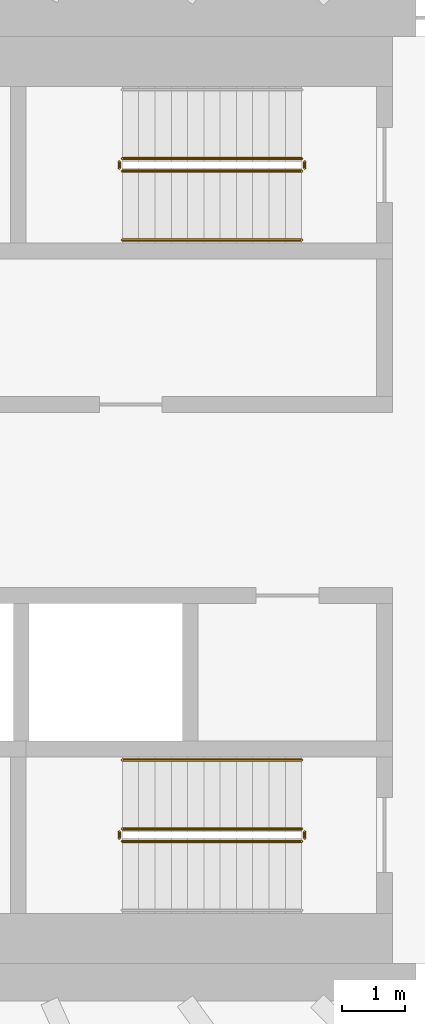
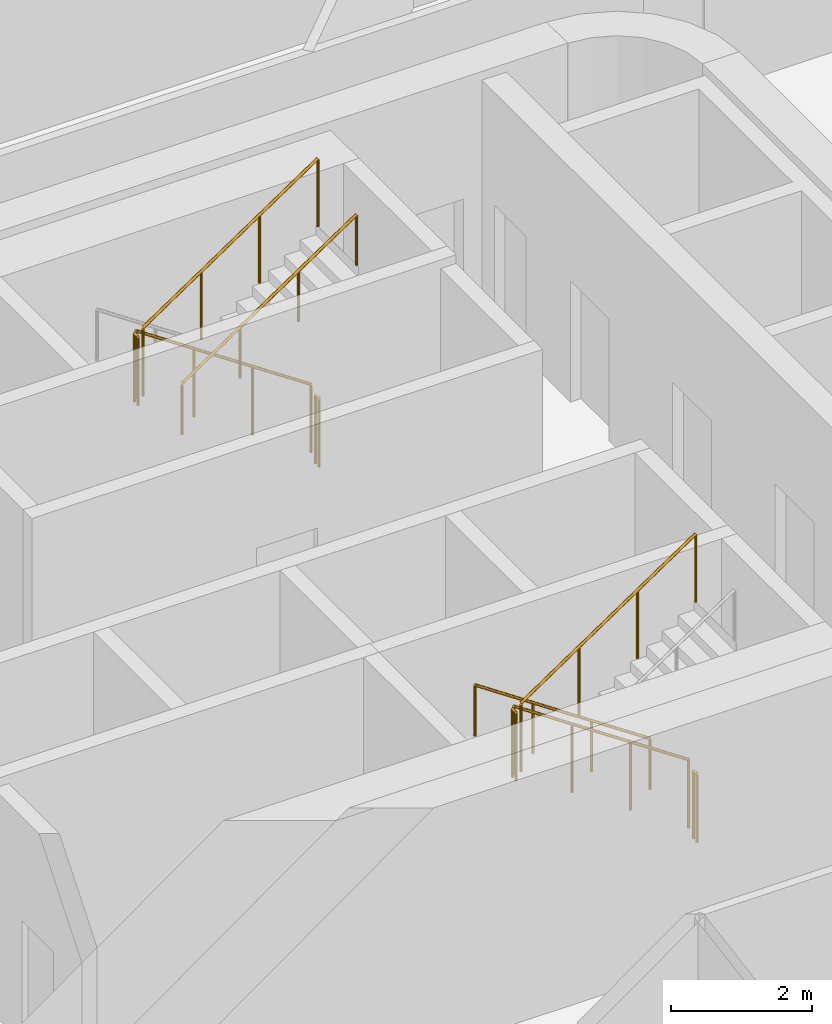
# One storey, part 23 of 25: 10 railings.
"""IFC4 building model written with IfcOpenShell, lengths in metres."""

from ifc_helpers import new_model, si_unit, direction, frame, origin, origin_2d, place, context, subcontext, project, spatial, circle, extrude, material, type_object, element, save


model = new_model("IFC4")

# Units and contexts
model_context = context("Model", 3, precision=1e-05, world=origin(), true_north=direction((0.0, 1.0)))
body_context = subcontext(model_context, "Body", "Model", "MODEL_VIEW")
ifc_project = project(units=[si_unit("LENGTHUNIT", "METRE"), si_unit("AREAUNIT", "SQUARE_METRE"), si_unit("VOLUMEUNIT", "CUBIC_METRE"), si_unit("PLANEANGLEUNIT", "RADIAN"), si_unit("MASSUNIT", "GRAM", prefix="KILO")], contexts=[model_context])

# Site, building, storey
site_placement = place(None, origin())
site = spatial("IfcSite", under=ifc_project, at=site_placement, CompositionType="ELEMENT")
building_placement = place(site_placement, origin())
building = spatial("IfcBuilding", under=site, at=building_placement, Name="Sahrelin Media Tower", CompositionType="ELEMENT")
storey_placement = place(building_placement, frame((0.0, 0.0, 135.60009765625)))
storey = spatial("IfcBuildingStorey", under=building, at=storey_placement, Name="L27", CompositionType="ELEMENT", Elevation=135.60009765625)

# Railings
ifc_material = material(Name="Steel S355", Category="steel")
railing_type_1 = type_object("IfcRailingType", Name="Stair guard 1200", PredefinedType="GUARDRAIL", material=ifc_material)
railing_1_placement = place(storey_placement, frame((7.675048828125, 5.449951171875, 0.1748046875)))
element("IfcRailing", 1, at=railing_1_placement, inside=storey, type_object=railing_type_1, Name="L27 ST3 stair guard 1", PredefinedType="GUARDRAIL", context=body_context, shape_type="SweptSolid", body=[
    extrude(circle(Radius=0.02392578125, at=origin_2d()), frame((0.0, 0.0, 1.17578125), z_axis=(-0.829590901723, 0.0, 0.558371682465), x_axis=(0.0, -1.0, 0.0)), (0.0, 0.0, 1.0), 3.447509765625),
    extrude(circle(Radius=0.02099609375, at=origin_2d()), origin(), (0.0, 0.0, 1.0), 1.15185546875),
    extrude(circle(Radius=0.02099609375, at=origin_2d()), frame((-0.953369140625, 0.0, 0.6416015625)), (0.0, 0.0, 1.0), 1.15185546875),
    extrude(circle(Radius=0.02099609375, at=origin_2d()), frame((-1.90673828125, 0.0, 1.283447265625)), (0.0, 0.0, 1.0), 1.15185546875),
    extrude(circle(Radius=0.02099609375, at=origin_2d()), frame((-2.860107421875, 0.0, 1.925048828125)), (0.0, 0.0, 1.0), 1.15185546875),
])
railing_2_placement = place(storey_placement, frame((4.764892578125, 5.39990234375, 2.099853515625)))
element("IfcRailing", 2, at=railing_2_placement, inside=storey, type_object=railing_type_1, Name="L27 ST3 stair guard 2", PredefinedType="GUARDRAIL", context=body_context, shape_type="SweptSolid", body=[
    extrude(circle(Radius=0.02392578125, at=origin_2d()), frame((0.0, 0.0, 1.17578125), z_axis=(0.0, -1.0, 0.0), x_axis=(1.0, 0.0, 0.0)), (0.0, 0.0, 1.0), 0.099853515625),
    extrude(circle(Radius=0.02099609375, at=origin_2d()), origin(), (0.0, 0.0, 1.0), 1.15185546875),
    extrude(circle(Radius=0.02099609375, at=origin_2d()), frame((0.0, -0.099853515625, 0.0)), (0.0, 0.0, 1.0), 1.15185546875),
])
railing_3_placement = place(storey_placement, frame((4.81494140625, 5.25, 2.27490234375)))
element("IfcRailing", 3, at=railing_3_placement, inside=storey, type_object=railing_type_1, Name="L27 ST3 stair guard 3", PredefinedType="GUARDRAIL", context=body_context, shape_type="SweptSolid", body=[
    extrude(circle(Radius=0.02392578125, at=origin_2d()), frame((0.0, 0.0, 1.17578125), z_axis=(0.829590901723, 0.0, 0.558371682465), x_axis=(0.0, 1.0, 0.0)), (0.0, 0.0, 1.0), 3.447509765625),
    extrude(circle(Radius=0.02099609375, at=origin_2d()), origin(), (0.0, 0.0, 1.0), 1.15185546875),
    extrude(circle(Radius=0.02099609375, at=origin_2d()), frame((0.953369140625, 0.0, 0.6416015625)), (0.0, 0.0, 1.0), 1.15185546875),
    extrude(circle(Radius=0.02099609375, at=origin_2d()), frame((1.90673828125, 0.0, 1.283447265625)), (0.0, 0.0, 1.0), 1.15185546875),
    extrude(circle(Radius=0.02099609375, at=origin_2d()), frame((2.860107421875, 0.0, 1.925048828125)), (0.0, 0.0, 1.0), 1.15185546875),
])
railing_4_placement = place(storey_placement, frame((7.72509765625, 5.39990234375, 0.0)))
element("IfcRailing", 4, at=railing_4_placement, inside=storey, type_object=railing_type_1, Name="L27 ST3 stair guard 4", PredefinedType="GUARDRAIL", context=body_context, shape_type="SweptSolid", body=[
    extrude(circle(Radius=0.02392578125, at=origin_2d()), frame((0.0, 0.0, 1.17578125), z_axis=(0.0, -1.0, 0.0), x_axis=(1.0, 0.0, 0.0)), (0.0, 0.0, 1.0), 0.099853515625),
    extrude(circle(Radius=0.02099609375, at=origin_2d()), origin(), (0.0, 0.0, 1.0), 1.15185546875),
    extrude(circle(Radius=0.02099609375, at=origin_2d()), frame((0.0, -0.099853515625, 0.0)), (0.0, 0.0, 1.0), 1.15185546875),
])
railing_5_placement = place(storey_placement, frame((7.675048828125, -5.25, 0.1748046875)))
element("IfcRailing", 5, at=railing_5_placement, inside=storey, type_object=railing_type_1, Name="L27 ST2 stair guard 1", PredefinedType="GUARDRAIL", context=body_context, shape_type="SweptSolid", body=[
    extrude(circle(Radius=0.02392578125, at=origin_2d()), frame((0.0, 0.0, 1.17578125), z_axis=(-0.829590901723, 0.0, 0.558371682465), x_axis=(0.0, -1.0, 0.0)), (0.0, 0.0, 1.0), 3.447509765625),
    extrude(circle(Radius=0.02099609375, at=origin_2d()), origin(), (0.0, 0.0, 1.0), 1.15185546875),
    extrude(circle(Radius=0.02099609375, at=origin_2d()), frame((-0.953369140625, 0.0, 0.6416015625)), (0.0, 0.0, 1.0), 1.15185546875),
    extrude(circle(Radius=0.02099609375, at=origin_2d()), frame((-1.90673828125, 0.0, 1.283447265625)), (0.0, 0.0, 1.0), 1.15185546875),
    extrude(circle(Radius=0.02099609375, at=origin_2d()), frame((-2.860107421875, 0.0, 1.925048828125)), (0.0, 0.0, 1.0), 1.15185546875),
])
railing_6_placement = place(storey_placement, frame((4.764892578125, -5.300048828125, 2.099853515625)))
element("IfcRailing", 6, at=railing_6_placement, inside=storey, type_object=railing_type_1, Name="L27 ST2 stair guard 2", PredefinedType="GUARDRAIL", context=body_context, shape_type="SweptSolid", body=[
    extrude(circle(Radius=0.02392578125, at=origin_2d()), frame((0.0, 0.0, 1.17578125), z_axis=(0.0, -1.0, 0.0), x_axis=(1.0, 0.0, 0.0)), (0.0, 0.0, 1.0), 0.099853515625),
    extrude(circle(Radius=0.02099609375, at=origin_2d()), origin(), (0.0, 0.0, 1.0), 1.15185546875),
    extrude(circle(Radius=0.02099609375, at=origin_2d()), frame((0.0, -0.099853515625, 0.0)), (0.0, 0.0, 1.0), 1.15185546875),
])
railing_7_placement = place(storey_placement, frame((4.81494140625, -5.449951171875, 2.27490234375)))
element("IfcRailing", 7, at=railing_7_placement, inside=storey, type_object=railing_type_1, Name="L27 ST2 stair guard 3", PredefinedType="GUARDRAIL", context=body_context, shape_type="SweptSolid", body=[
    extrude(circle(Radius=0.02392578125, at=origin_2d()), frame((0.0, 0.0, 1.17578125), z_axis=(0.829590901723, 0.0, 0.558371682465), x_axis=(0.0, 1.0, 0.0)), (0.0, 0.0, 1.0), 3.447509765625),
    extrude(circle(Radius=0.02099609375, at=origin_2d()), origin(), (0.0, 0.0, 1.0), 1.15185546875),
    extrude(circle(Radius=0.02099609375, at=origin_2d()), frame((0.953369140625, 0.0, 0.6416015625)), (0.0, 0.0, 1.0), 1.15185546875),
    extrude(circle(Radius=0.02099609375, at=origin_2d()), frame((1.90673828125, 0.0, 1.283447265625)), (0.0, 0.0, 1.0), 1.15185546875),
    extrude(circle(Radius=0.02099609375, at=origin_2d()), frame((2.860107421875, 0.0, 1.925048828125)), (0.0, 0.0, 1.0), 1.15185546875),
])
railing_8_placement = place(storey_placement, frame((7.72509765625, -5.300048828125, 0.0)))
element("IfcRailing", 8, at=railing_8_placement, inside=storey, type_object=railing_type_1, Name="L27 ST2 stair guard 4", PredefinedType="GUARDRAIL", context=body_context, shape_type="SweptSolid", body=[
    extrude(circle(Radius=0.02392578125, at=origin_2d()), frame((0.0, 0.0, 1.17578125), z_axis=(0.0, -1.0, 0.0), x_axis=(1.0, 0.0, 0.0)), (0.0, 0.0, 1.0), 0.099853515625),
    extrude(circle(Radius=0.02099609375, at=origin_2d()), origin(), (0.0, 0.0, 1.0), 1.15185546875),
    extrude(circle(Radius=0.02099609375, at=origin_2d()), frame((0.0, -0.099853515625, 0.0)), (0.0, 0.0, 1.0), 1.15185546875),
])
railing_type_2 = type_object("IfcRailingType", Name="Stair handrail 900", PredefinedType="HANDRAIL", material=ifc_material)
railing_9_placement = place(storey_placement, frame((4.81494140625, 4.14990234375, 2.27490234375)))
element("IfcRailing", 9, at=railing_9_placement, inside=storey, type_object=railing_type_2, Name="L27 ST3 stair handrail 2", PredefinedType="HANDRAIL", context=body_context, shape_type="SweptSolid", body=[
    extrude(circle(Radius=0.02392578125, at=origin_2d()), frame((0.0, 0.0, 0.8759765625), z_axis=(0.829590901723, 0.0, 0.558371682465), x_axis=(0.0, 1.0, 0.0)), (0.0, 0.0, 1.0), 3.447509765625),
    extrude(circle(Radius=0.02099609375, at=origin_2d()), origin(), (0.0, 0.0, 1.0), 0.851806640625),
    extrude(circle(Radius=0.02099609375, at=origin_2d()), frame((0.953369140625, 0.0, 0.6416015625)), (0.0, 0.0, 1.0), 0.851806640625),
    extrude(circle(Radius=0.02099609375, at=origin_2d()), frame((1.90673828125, 0.0, 1.283447265625)), (0.0, 0.0, 1.0), 0.851806640625),
    extrude(circle(Radius=0.02099609375, at=origin_2d()), frame((2.860107421875, 0.0, 1.925048828125)), (0.0, 0.0, 1.0), 0.851806640625),
])
railing_10_placement = place(storey_placement, frame((7.675048828125, -4.14990234375, 0.1748046875)))
element("IfcRailing", 10, at=railing_10_placement, inside=storey, type_object=railing_type_2, Name="L27 ST2 stair handrail 1", PredefinedType="HANDRAIL", context=body_context, shape_type="SweptSolid", body=[
    extrude(circle(Radius=0.02392578125, at=origin_2d()), frame((0.0, 0.0, 0.8759765625), z_axis=(-0.829590901723, 0.0, 0.558371682465), x_axis=(0.0, -1.0, 0.0)), (0.0, 0.0, 1.0), 3.447509765625),
    extrude(circle(Radius=0.02099609375, at=origin_2d()), origin(), (0.0, 0.0, 1.0), 0.851806640625),
    extrude(circle(Radius=0.02099609375, at=origin_2d()), frame((-0.953369140625, 0.0, 0.6416015625)), (0.0, 0.0, 1.0), 0.851806640625),
    extrude(circle(Radius=0.02099609375, at=origin_2d()), frame((-1.90673828125, 0.0, 1.283447265625)), (0.0, 0.0, 1.0), 0.851806640625),
    extrude(circle(Radius=0.02099609375, at=origin_2d()), frame((-2.860107421875, 0.0, 1.925048828125)), (0.0, 0.0, 1.0), 0.851806640625),
])

save(model, "model.ifc")
